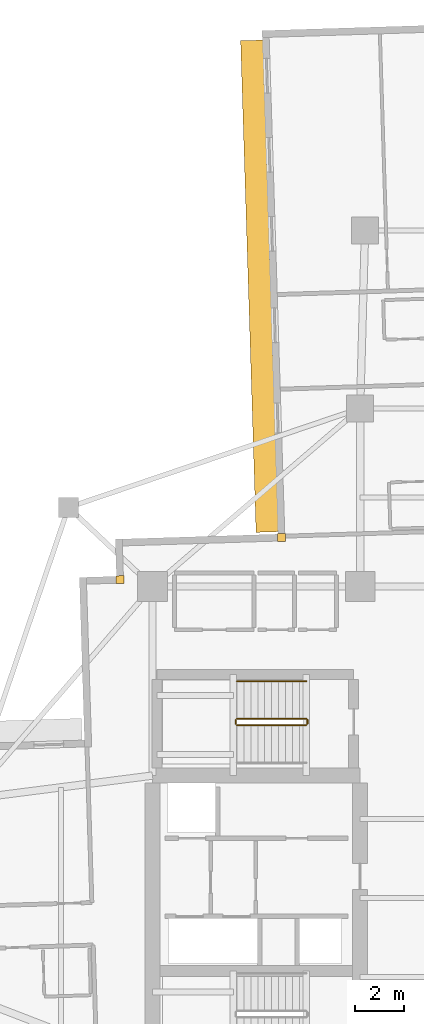
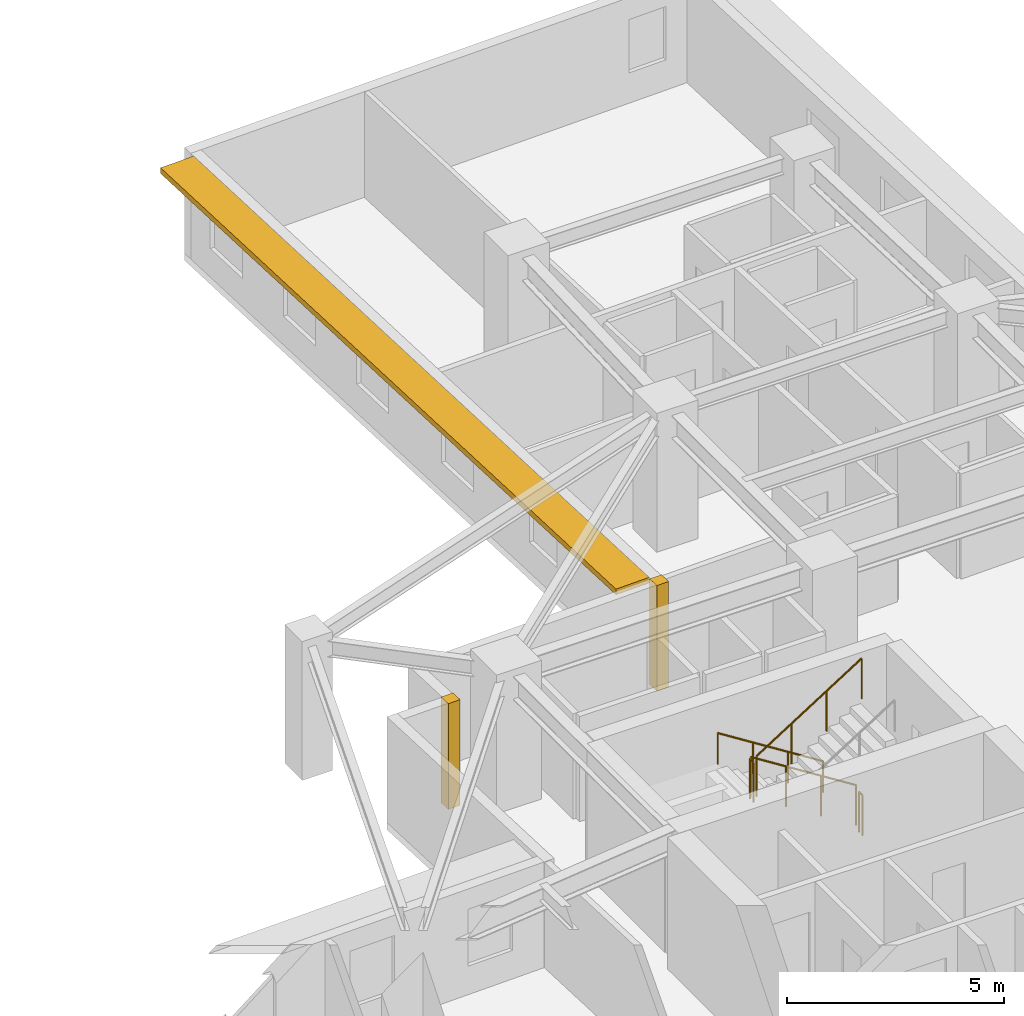
# One storey, part 13 of 14: 5 railings, 2 coverings, 1 shading device.
"""IFC4 building model written with IfcOpenShell, lengths in metres."""

from ifc_helpers import new_model, si_unit, direction, frame, origin, origin_2d, place, context, subcontext, project, spatial, rectangle, circle, extrude, material, layer, layer_set, type_object, element, save


model = new_model("IFC4")

# Units and contexts
model_context = context("Model", 3, precision=1e-05, world=origin(), true_north=direction((0.0, 1.0)))
body_context = subcontext(model_context, "Body", "Model", "MODEL_VIEW")
ifc_project = project(units=[si_unit("LENGTHUNIT", "METRE"), si_unit("AREAUNIT", "SQUARE_METRE"), si_unit("VOLUMEUNIT", "CUBIC_METRE"), si_unit("PLANEANGLEUNIT", "RADIAN"), si_unit("MASSUNIT", "GRAM", prefix="KILO")], contexts=[model_context])

# Site, building, storey
site_placement = place(None, origin())
site = spatial("IfcSite", under=ifc_project, at=site_placement, CompositionType="ELEMENT")
building_placement = place(site_placement, origin())
building = spatial("IfcBuilding", under=site, at=building_placement, Name="Qingluan Cross Belvedere", CompositionType="ELEMENT")
storey_placement = place(building_placement, frame((0.0, 0.0, 135.89990234375)))
storey = spatial("IfcBuildingStorey", under=building, at=storey_placement, Name="L34", CompositionType="ELEMENT", Elevation=135.89990234375)

# Coverings
ifc_material_1 = material(Name="Precast concrete C45", Category="concrete")
ifc_layer_1 = layer(ifc_material_1, 0.1201171875, Name="ConcreteSpandrelCladding_120")
ifc_layer_set_1 = layer_set([ifc_layer_1], Name="Precast concrete C45")
covering_type = type_object("IfcCoveringType", Name="ConcreteSpandrelCladding_120", PredefinedType="CLADDING", material=ifc_layer_set_1)
for number, where, z_axis, x_axis, name in (
    (1, (-13.711181640625, 12.875732421875, 0.0), (0.0, 0.0, 1.0), (0.999506560366, 0.031410759078, 0.0), "Corner closure L34-NW1"),
    (2, (-7.181640625, 14.58154296875, 0.0), (0.0, 0.0, 1.0), (0.999506560366, 0.031410759078, 0.0), "Corner closure L34-NW2"),
):
    element("IfcCovering", number, at=place(storey_placement, frame(where, z_axis=z_axis, x_axis=x_axis)), inside=storey, type_object=covering_type, Name=name, PredefinedType="CLADDING", context=body_context, shape_type="SweptSolid", body=[
        extrude(rectangle(XDim=0.320068359375, YDim=0.320068359375, at=origin_2d()), origin(), (0.0, 0.0, 1.0), 2.969970703125),
    ])

# Shading device
ifc_material_2 = material(Name="Precast concrete C45", Category="concrete")
ifc_layer_2 = layer(ifc_material_2, 0.159912109375, Name="ConcreteSunshadeBand_900")
ifc_layer_set_2 = layer_set([ifc_layer_2], Name="Precast concrete C45")
shading_device_type = type_object("IfcShadingDeviceType", Name="ConcreteSunshadeBand_900", PredefinedType="USERDEFINED", material=ifc_layer_set_2)
shading_device_placement = place(storey_placement, frame((-8.0712890625, 24.74853515625, 2.7900390625), z_axis=(0.0, 0.0, 1.0), x_axis=(0.031407934627, -0.999506649124, 0.0)))
element("IfcShadingDevice", 3, at=shading_device_placement, inside=storey, type_object=shading_device_type, Name="Concrete SUNSHADE L34-NB", ObjectType="SUNSHADE", PredefinedType="USERDEFINED", context=body_context, shape_type="SweptSolid", body=[
    extrude(rectangle(XDim=19.89990234375, YDim=0.89990234375, at=origin_2d()), origin(), (0.0, 0.0, 1.0), 0.159912109375),
])

# Railings
ifc_material_3 = material(Name="Brushed stainless steel tubular handrail", Category="steel")
railing_type_1 = type_object("IfcRailingType", Name="StairPitchHandrail_900", PredefinedType="HANDRAIL", material=ifc_material_3)
railing_1_placement = place(storey_placement, frame((-6.179931640625, 8.77001953125, 0.177490234375)))
element("IfcRailing", 4, at=railing_1_placement, inside=storey, type_object=railing_type_1, Name="L34 ST3 stair handrail 1", PredefinedType="HANDRAIL", context=body_context, shape_type="SweptSolid", body=[
    extrude(circle(Radius=0.02392578125, at=origin_2d()), frame((0.0, 0.0, 0.8759765625), z_axis=(-0.844908973607, 0.0, 0.534910110503), x_axis=(0.0, -1.0, 0.0)), (0.0, 0.0, 1.0), 3.31396484375),
    extrude(circle(Radius=0.02099609375, at=origin_2d()), origin(), (0.0, 0.0, 1.0), 0.851806640625),
    extrude(circle(Radius=0.02099609375, at=origin_2d()), frame((-0.933349609375, 0.0, 0.5908203125)), (0.0, 0.0, 1.0), 0.851806640625),
    extrude(circle(Radius=0.02099609375, at=origin_2d()), frame((-1.86669921875, 0.0, 1.181884765625)), (0.0, 0.0, 1.0), 0.851806640625),
    extrude(circle(Radius=0.02099609375, at=origin_2d()), frame((-2.800048828125, 0.0, 1.772705078125)), (0.0, 0.0, 1.0), 0.851806640625),
])
ifc_material_4 = material(Name="Painted steel stair well guard", Category="steel")
railing_type_2 = type_object("IfcRailingType", Name="StairWellGuard_1150", PredefinedType="BALUSTRADE", material=ifc_material_4)
railing_2_placement = place(storey_placement, frame((-6.179931640625, 7.25, 0.177490234375)))
element("IfcRailing", 5, at=railing_2_placement, inside=storey, type_object=railing_type_2, Name="L34 ST3 stair guard 1", PredefinedType="BALUSTRADE", context=body_context, shape_type="SweptSolid", body=[
    extrude(circle(Radius=0.02392578125, at=origin_2d()), frame((0.0, 0.0, 1.1259765625), z_axis=(-0.844908973607, 0.0, 0.534910110503), x_axis=(0.0, -1.0, 0.0)), (0.0, 0.0, 1.0), 3.31396484375),
    extrude(circle(Radius=0.02099609375, at=origin_2d()), origin(), (0.0, 0.0, 1.0), 1.101806640625),
    extrude(circle(Radius=0.02099609375, at=origin_2d()), frame((-0.933349609375, 0.0, 0.5908203125)), (0.0, 0.0, 1.0), 1.101806640625),
    extrude(circle(Radius=0.02099609375, at=origin_2d()), frame((-1.86669921875, 0.0, 1.181884765625)), (0.0, 0.0, 1.0), 1.101806640625),
    extrude(circle(Radius=0.02099609375, at=origin_2d()), frame((-2.800048828125, 0.0, 1.772705078125)), (0.0, 0.0, 1.0), 1.101806640625),
])
railing_3_placement = place(storey_placement, frame((-9.030029296875, 7.199951171875, 1.9501953125)))
element("IfcRailing", 6, at=railing_3_placement, inside=storey, type_object=railing_type_2, Name="L34 ST3 stair guard 2", PredefinedType="BALUSTRADE", context=body_context, shape_type="SweptSolid", body=[
    extrude(circle(Radius=0.02392578125, at=origin_2d()), frame((0.0, 0.0, 1.1259765625), z_axis=(0.0, -1.0, 0.0), x_axis=(1.0, 0.0, 0.0)), (0.0, 0.0, 1.0), 0.159912109375),
    extrude(circle(Radius=0.02099609375, at=origin_2d()), origin(), (0.0, 0.0, 1.0), 1.101806640625),
    extrude(circle(Radius=0.02099609375, at=origin_2d()), frame((0.0, -0.159912109375, 0.0)), (0.0, 0.0, 1.0), 1.101806640625),
])
railing_4_placement = place(storey_placement, frame((-8.97998046875, 6.989990234375, 2.12744140625)))
element("IfcRailing", 7, at=railing_4_placement, inside=storey, type_object=railing_type_2, Name="L34 ST3 stair guard 3", PredefinedType="BALUSTRADE", context=body_context, shape_type="SweptSolid", body=[
    extrude(circle(Radius=0.02392578125, at=origin_2d()), frame((0.0, 0.0, 1.1259765625), z_axis=(0.844908973607, 0.0, 0.534910110503), x_axis=(0.0, 1.0, 0.0)), (0.0, 0.0, 1.0), 3.31396484375),
    extrude(circle(Radius=0.02099609375, at=origin_2d()), origin(), (0.0, 0.0, 1.0), 1.101806640625),
    extrude(circle(Radius=0.02099609375, at=origin_2d()), frame((0.933349609375, 0.0, 0.5908203125)), (0.0, 0.0, 1.0), 1.101806640625),
    extrude(circle(Radius=0.02099609375, at=origin_2d()), frame((1.86669921875, 0.0, 1.181884765625)), (0.0, 0.0, 1.0), 1.101806640625),
    extrude(circle(Radius=0.02099609375, at=origin_2d()), frame((2.800048828125, 0.0, 1.772705078125)), (0.0, 0.0, 1.0), 1.101806640625),
])
railing_5_placement = place(storey_placement, frame((-6.1298828125, 7.199951171875, 0.0)))
element("IfcRailing", 8, at=railing_5_placement, inside=storey, type_object=railing_type_2, Name="L34 ST3 stair guard 4", PredefinedType="BALUSTRADE", context=body_context, shape_type="SweptSolid", body=[
    extrude(circle(Radius=0.02392578125, at=origin_2d()), frame((0.0, 0.0, 1.1259765625), z_axis=(0.0, -1.0, 0.0), x_axis=(1.0, 0.0, 0.0)), (0.0, 0.0, 1.0), 0.159912109375),
    extrude(circle(Radius=0.02099609375, at=origin_2d()), origin(), (0.0, 0.0, 1.0), 1.101806640625),
    extrude(circle(Radius=0.02099609375, at=origin_2d()), frame((0.0, -0.159912109375, 0.0)), (0.0, 0.0, 1.0), 1.101806640625),
])

save(model, "model.ifc")
